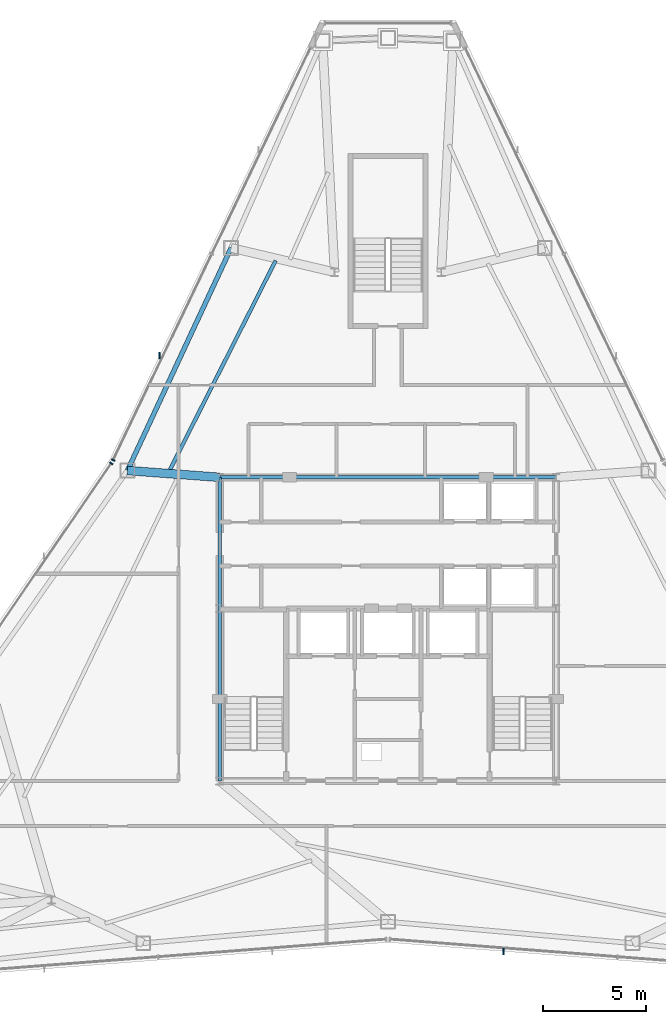
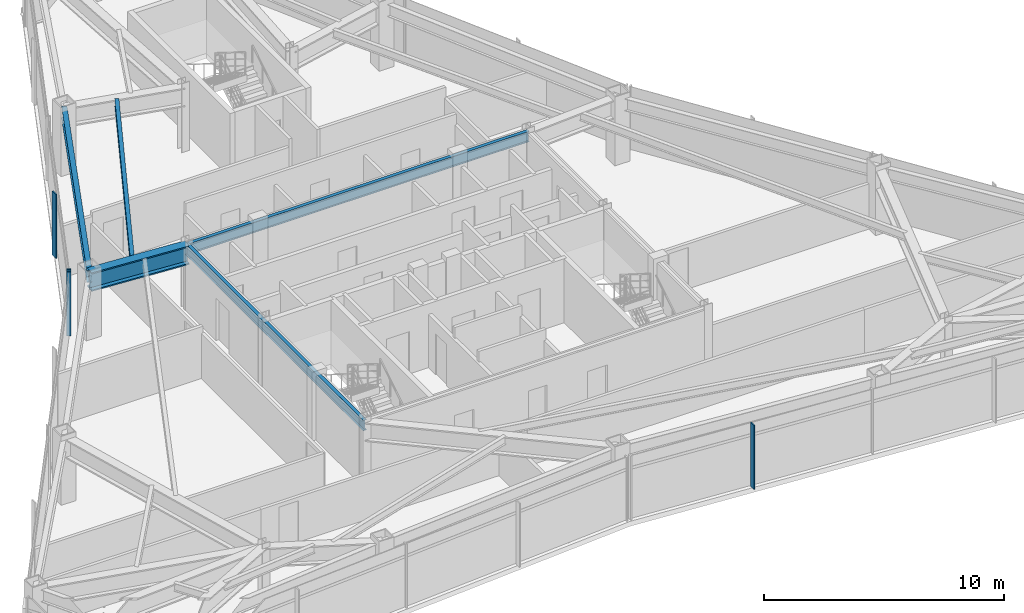
# One storey, part 5 of 12: 5 beams, 4 members, 3 elements without a shape of their own.
"""IFC4 building model written with IfcOpenShell, lengths in metres."""

from ifc_helpers import new_model, si_unit, direction, frame, origin, origin_2d, place, context, subcontext, project, spatial, rectangle, i_section, extrude, source, transform, mapped, material, layer, layer_set, material_profile, profile_set, type_object, type_shapes, element, aggregate, save


model = new_model("IFC4")

# Units and contexts
model_context = context("Model", 3, precision=1e-05, world=origin(), true_north=direction((0.0, 1.0)))
body_context = subcontext(model_context, "Body", "Model", "MODEL_VIEW")
ifc_project = project(units=[si_unit("LENGTHUNIT", "METRE"), si_unit("AREAUNIT", "SQUARE_METRE"), si_unit("VOLUMEUNIT", "CUBIC_METRE"), si_unit("PLANEANGLEUNIT", "RADIAN"), si_unit("MASSUNIT", "GRAM", prefix="KILO")], contexts=[model_context])

# Site, building, storey
site_placement = place(None, origin())
site = spatial("IfcSite", under=ifc_project, at=site_placement, CompositionType="ELEMENT")
building_placement = place(site_placement, origin())
building = spatial("IfcBuilding", under=site, at=building_placement, Name="Varakhsha Concourse Tower", CompositionType="ELEMENT")
storey_placement = place(building_placement, frame((0.0, 0.0, 218.89990234375)))
storey = spatial("IfcBuildingStorey", under=building, at=storey_placement, Name="L62", CompositionType="ELEMENT", Elevation=218.89990234375)

# Beams
ifc_material_1 = material(Name="Structural Steel ASTM A992 Grade 50", Category="steel")
ifc_material_profile_1 = material_profile(ifc_material_1, i_section(OverallWidth=0.177978515625, OverallDepth=0.406982421875, WebThickness=0.008056640625, FlangeThickness=0.012939453125, at=origin_2d()), Name="W16X40")
ifc_profile_set_1 = profile_set([ifc_material_profile_1], Name="Structural Steel ASTM A992 Grade 50")
beam_type_1 = type_object("IfcBeamType", Name="BM-JST-W16X40", PredefinedType="JOIST", material=ifc_profile_set_1)
beam_1_placement = place(storey_placement, frame((34.52587890625, 41.766845703125, 3.046630859375), z_axis=(-0.450981572497, -0.892533260595, 0.0), x_axis=(0.892533260595, -0.450981572497, 0.0)))
element("IfcBeam", 1, at=beam_1_placement, inside=storey, type_object=beam_type_1, Name="BM-TJST-L62-04", PredefinedType="JOIST", context=body_context, shape_type="SweptSolid", body=[
    extrude(i_section(OverallWidth=0.177978515625, OverallDepth=0.406982421875, WebThickness=0.008056640625, FlangeThickness=0.012939453125, at=origin_2d()), origin(), (0.0, 0.0, 1.0), 11.52099609375),
])
ifc_material_profile_2 = material_profile(ifc_material_1, i_section(OverallWidth=0.423095703125, OverallDepth=0.947998046875, WebThickness=0.0380859375, FlangeThickness=0.06396484375, at=origin_2d()), Name="W36X302")
ifc_profile_set_2 = profile_set([ifc_material_profile_2], Name="Structural Steel ASTM A992 Grade 50")
beam_type_2 = type_object("IfcBeamType", Name="BM-OUTR-W36X302", PredefinedType="USERDEFINED", material=ifc_profile_set_2)
beam_2_placement = place(storey_placement, frame((31.800048828125, 31.199951171875, 2.776123046875), z_axis=(-0.9972917705, 0.073546750386, 0.0), x_axis=(-0.073546750386, -0.9972917705, 0.0)))
element("IfcBeam", 2, at=beam_2_placement, inside=storey, type_object=beam_type_2, Name="L62 Radial Floor Girder 05", ObjectType="GIRDER", PredefinedType="USERDEFINED", context=body_context, shape_type="SweptSolid", body=[
    extrude(i_section(OverallWidth=0.423095703125, OverallDepth=0.947998046875, WebThickness=0.0380859375, FlangeThickness=0.06396484375, at=origin_2d()), origin(), (0.0, 0.0, 1.0), 4.51123046875),
])
ifc_material_profile_3 = material_profile(ifc_material_1, i_section(OverallWidth=0.1669921875, OverallDepth=0.534912109375, WebThickness=0.010009765625, FlangeThickness=0.01708984375, at=origin_2d()), Name="W21X57")
ifc_profile_set_3 = profile_set([ifc_material_profile_3], Name="Structural Steel ASTM A992 Grade 50")
beam_type_3 = type_object("IfcBeamType", Name="BM-RAD-W21X57", PredefinedType="BEAM", material=ifc_profile_set_3)
beam_3_placement = place(storey_placement, frame((31.800048828125, 31.199951171875, 2.982666015625), z_axis=(1.0, 0.0, 0.0), x_axis=(0.0, 1.0, 0.0)))
element("IfcBeam", 3, at=beam_3_placement, inside=storey, type_object=beam_type_3, Name="BM-TCORE-L62-CN", PredefinedType="BEAM", context=body_context, shape_type="SweptSolid", body=[
    extrude(i_section(OverallWidth=0.1669921875, OverallDepth=0.534912109375, WebThickness=0.010009765625, FlangeThickness=0.01708984375, at=origin_2d()), origin(), (0.0, 0.0, 1.0), 16.39990234375),
])
beam_4_placement = place(storey_placement, frame((31.800048828125, 16.39990234375, 2.982666015625), z_axis=(0.0, 1.0, 0.0), x_axis=(-1.0, 0.0, 0.0)))
element("IfcBeam", 4, at=beam_4_placement, inside=storey, type_object=beam_type_3, Name="BM-TCORE-L62-CW", PredefinedType="BEAM", context=body_context, shape_type="SweptSolid", body=[
    extrude(i_section(OverallWidth=0.1669921875, OverallDepth=0.534912109375, WebThickness=0.010009765625, FlangeThickness=0.01708984375, at=origin_2d()), origin(), (0.0, 0.0, 1.0), 14.800048828125),
])
ifc_material_profile_4 = material_profile(ifc_material_1, i_section(OverallWidth=0.22900390625, OverallDepth=0.612060546875, WebThickness=0.011962890625, FlangeThickness=0.02001953125, at=origin_2d()), Name="W24X84")
ifc_profile_set_4 = profile_set([ifc_material_profile_4], Name="Structural Steel ASTM A992 Grade 50")
beam_type_4 = type_object("IfcBeamType", Name="BM-SPAN-W24X84", PredefinedType="SPANDREL", material=ifc_profile_set_4)
beam_5_placement = place(storey_placement, frame((32.356201171875, 42.3876953125, 2.944091796875), z_axis=(-0.422135313271, -0.90653283299, 0.0), x_axis=(0.90653283299, -0.422135313271, 0.0)))
element("IfcBeam", 5, at=beam_5_placement, inside=storey, type_object=beam_type_4, Name="BM-SPAN-L62-04", PredefinedType="SPANDREL", context=body_context, shape_type="SweptSolid", body=[
    extrude(i_section(OverallWidth=0.22900390625, OverallDepth=0.612060546875, WebThickness=0.011962890625, FlangeThickness=0.02001953125, at=origin_2d()), origin(), (0.0, 0.0, 1.0), 11.975341796875),
])

# Curtain wall, member
ifc_material_2 = material(Name="Anodised Bronze Architectural Aluminium AA 6063-T6", Category="aluminium")
ifc_layer = layer(ifc_material_2, 0.199951171875, Name="CW-SYS-05")
ifc_layer_set = layer_set([ifc_layer], Name="Anodised Bronze Architectural Aluminium AA 6063-T6")
curtain_wall_type = type_object("IfcCurtainWallType", Name="CW-SYS-05", PredefinedType="NOTDEFINED", material=ifc_layer_set)
curtain_wall_1_placement = place(storey_placement, origin())
curtain_wall_1 = element("IfcCurtainWall", 6, at=curtain_wall_1_placement, inside=storey, type_object=curtain_wall_type, Name="L62 Crystal Curtain Wall F2", PredefinedType="NOTDEFINED")
ifc_material_profile_5 = material_profile(ifc_material_2, rectangle(XDim=0.06494140625, YDim=0.179931640625, at=origin_2d()), Name="CWM-180X65")
ifc_profile_set_5 = profile_set([ifc_material_profile_5], Name="Anodised Bronze Architectural Aluminium AA 6063-T6")
member_type_1 = type_object("IfcMemberType", Name="CWM-180X65", PredefinedType="MULLION", material=ifc_profile_set_5)
shared_shape_1 = source(origin(), body_context, "Body", "SweptSolid", [
    extrude(rectangle(XDim=0.06494140625, YDim=0.179931640625, at=origin_2d()), origin(), (0.0, 0.0, 1.0), 3.25),
])
type_shapes(member_type_1, [shared_shape_1])
member_1_placement = place(storey_placement, frame((26.603515625, 32.040771484375, 0.0), z_axis=(0.0, 0.0, 1.0), x_axis=(0.431862228288, 0.901939585437, 0.0)))
member_1 = element("IfcMember", 7, at=member_1_placement, type_object=member_type_1, Name="CW-L62-F2 Mullion 00", PredefinedType="MULLION", context=body_context, shape_type="MappedRepresentation", body=[
    mapped(shared_shape_1, transform((0.0, 0.0, 0.0), scale=1.0)),
])

curtain_wall_2_placement = place(storey_placement, origin())
curtain_wall_2 = element("IfcCurtainWall", 8, at=curtain_wall_2_placement, inside=storey, type_object=curtain_wall_type, Name="L62 Crystal Curtain Wall F3", PredefinedType="NOTDEFINED")
member_2_placement = place(storey_placement, frame((26.511474609375, 31.88134765625, 0.0), z_axis=(0.0, 0.0, 1.0), x_axis=(0.565172919372, 0.82497246694, 0.0)))
member_2 = element("IfcMember", 9, at=member_2_placement, type_object=member_type_1, Name="CW-L62-F3 Mullion 02", PredefinedType="MULLION", context=body_context, shape_type="MappedRepresentation", body=[
    mapped(shared_shape_1, transform((0.0, 0.0, 0.0), scale=1.0)),
])
aggregate(curtain_wall_2, [member_2])

# Member
ifc_material_profile_6 = material_profile(ifc_material_2, rectangle(XDim=0.054931640625, YDim=0.300048828125, at=origin_2d()), Name="FIN-BRZ-300")
ifc_profile_set_6 = profile_set([ifc_material_profile_6], Name="Anodised Bronze Architectural Aluminium AA 6063-T6")
member_type_2 = type_object("IfcMemberType", Name="FIN-BRZ-300", PredefinedType="USERDEFINED", material=ifc_profile_set_6)
shared_shape_2 = source(origin(), body_context, "Body", "SweptSolid", [
    extrude(rectangle(XDim=0.054931640625, YDim=0.300048828125, at=origin_2d()), origin(), (0.0, 0.0, 1.0), 3.25),
])
type_shapes(member_type_2, [shared_shape_2])
member_3_placement = place(storey_placement, frame((28.86181640625, 37.138916015625, 0.0), z_axis=(0.0, 0.0, 1.0), x_axis=(1.0, 0.0, 0.0)))
member_3 = element("IfcMember", 10, at=member_3_placement, type_object=member_type_2, Name="L62 Anodised Bronze Solar Fin F2-1", ObjectType="SOLAR FIN", PredefinedType="USERDEFINED", context=body_context, shape_type="MappedRepresentation", body=[
    mapped(shared_shape_2, transform((0.0, 0.0, 0.0), scale=1.0)),
])

aggregate(curtain_wall_1, [member_1, member_3])

# Curtain wall, member
curtain_wall_3_placement = place(storey_placement, origin())
curtain_wall_3 = element("IfcCurtainWall", 11, at=curtain_wall_3_placement, inside=storey, type_object=curtain_wall_type, Name="L62 Crystal Curtain Wall F6", PredefinedType="NOTDEFINED")
member_4_placement = place(storey_placement, frame((45.635986328125, 8.08447265625, 0.0), z_axis=(0.0, 0.0, 1.0), x_axis=(1.0, 0.0, 0.0)))
member_4 = element("IfcMember", 12, at=member_4_placement, type_object=member_type_2, Name="L62 Anodised Bronze Solar Fin F6-2", ObjectType="SOLAR FIN", PredefinedType="USERDEFINED", context=body_context, shape_type="MappedRepresentation", body=[
    mapped(shared_shape_2, transform((0.0, 0.0, 0.0), scale=1.0)),
])
aggregate(curtain_wall_3, [member_4])

save(model, "model.ifc")
